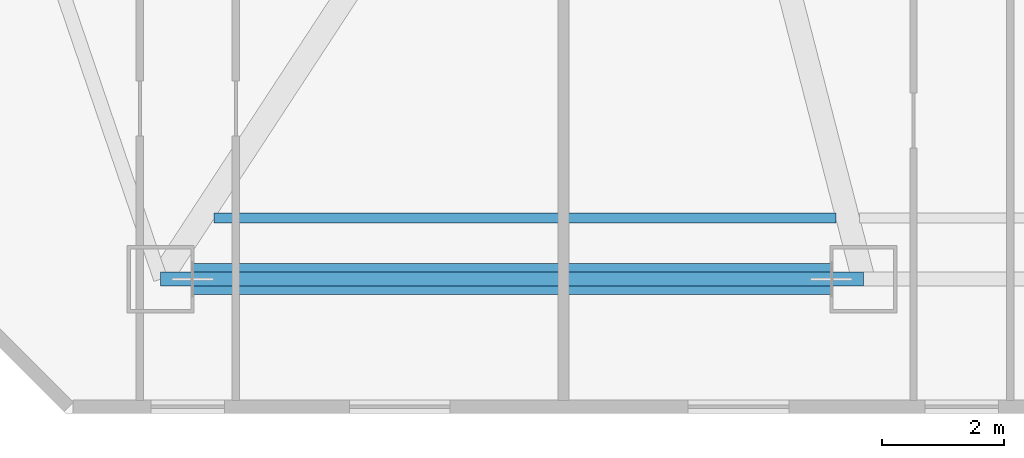
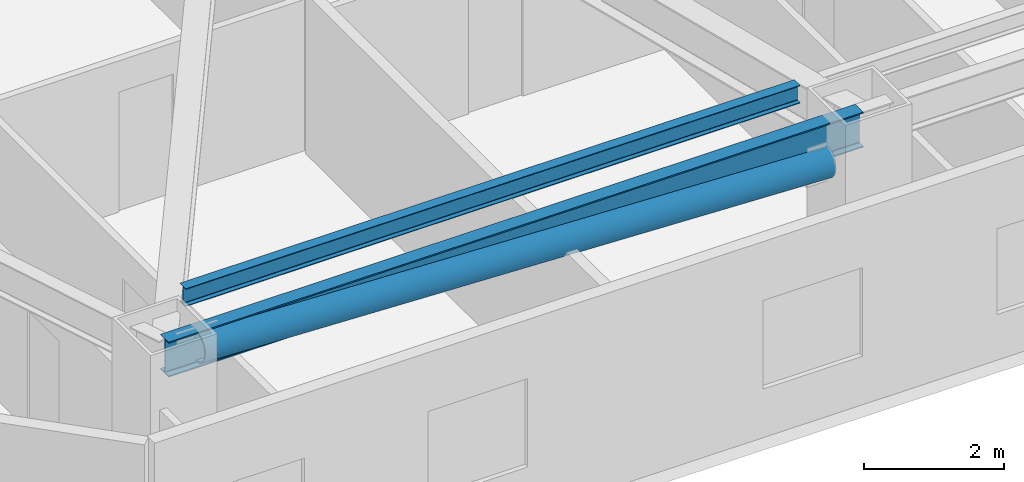
# One storey, part 3 of 18: 2 beams, 1 member.
"""IFC4 building model written with IfcOpenShell, lengths in metres."""

from ifc_helpers import new_model, si_unit, direction, frame, origin, origin_2d, place, context, subcontext, project, spatial, hollow_circle, i_section, extrude, material, material_profile, profile_set, type_object, element, save


model = new_model("IFC4")

# Units and contexts
model_context = context("Model", 3, precision=1e-05, world=origin(), true_north=direction((0.0, 1.0)))
body_context = subcontext(model_context, "Body", "Model", "MODEL_VIEW")
ifc_project = project(units=[si_unit("LENGTHUNIT", "METRE"), si_unit("AREAUNIT", "SQUARE_METRE"), si_unit("VOLUMEUNIT", "CUBIC_METRE"), si_unit("PLANEANGLEUNIT", "RADIAN"), si_unit("MASSUNIT", "GRAM", prefix="KILO")], contexts=[model_context])

# Site, building, storey
site_placement = place(None, origin())
site = spatial("IfcSite", under=ifc_project, at=site_placement, CompositionType="ELEMENT")
building_placement = place(site_placement, origin())
building = spatial("IfcBuilding", under=site, at=building_placement, Name="Khamvora Tower", CompositionType="ELEMENT")
storey_placement = place(building_placement, frame((0.0, 0.0, 69.800048828125)))
storey = spatial("IfcBuildingStorey", under=building, at=storey_placement, Name="L17", CompositionType="ELEMENT", Elevation=69.800048828125)

# Beams
ifc_material_1 = material(Name="Steel S355", Category="steel")
ifc_material_profile_1 = material_profile(ifc_material_1, i_section(OverallWidth=0.166015625, OverallDepth=0.31298828125, WebThickness=0.007080078125, FlangeThickness=0.010986328125, FilletRadius=0.010009765625, at=origin_2d()), Name="W310x45")
ifc_profile_set_1 = profile_set([ifc_material_profile_1], Name="Steel S355")
beam_type_1 = type_object("IfcBeamType", Name="BM-JS-W310x45", PredefinedType="JOIST", material=ifc_profile_set_1)
beam_1_placement = place(storey_placement, frame((10.626953125, 6.199951171875, 3.27392578125), z_axis=(1.0, 0.0, 0.0), x_axis=(0.0, 1.0, 0.0)))
element("IfcBeam", 1, at=beam_1_placement, inside=storey, type_object=beam_type_1, Name="L17 secondary floor joist 01", PredefinedType="JOIST", context=body_context, shape_type="SweptSolid", body=[
    extrude(i_section(OverallWidth=0.166015625, OverallDepth=0.31298828125, WebThickness=0.007080078125, FlangeThickness=0.010986328125, FilletRadius=0.010009765625, at=origin_2d()), origin(), (0.0, 0.0, 1.0), 10.173095703125),
])
ifc_material_profile_2 = material_profile(ifc_material_1, i_section(OverallWidth=0.22998046875, OverallDepth=0.616943359375, WebThickness=0.012939453125, FlangeThickness=0.02197265625, FilletRadius=0.013916015625, at=origin_2d()), Name="W610x140")
ifc_profile_set_2 = profile_set([ifc_material_profile_2], Name="Steel S355")
beam_type_2 = type_object("IfcBeamType", Name="BM-SP-W610x140", PredefinedType="SPANDREL", material=ifc_profile_set_2)
beam_2_placement = place(storey_placement, frame((9.75, 5.199951171875, 3.1220703125), z_axis=(1.0, 0.0, 0.0), x_axis=(0.0, 1.0, 0.0)))
element("IfcBeam", 2, at=beam_2_placement, inside=storey, type_object=beam_type_2, Name="L17 perimeter spandrel beam S1-S2", PredefinedType="SPANDREL", context=body_context, shape_type="SweptSolid", body=[
    extrude(i_section(OverallWidth=0.22998046875, OverallDepth=0.616943359375, WebThickness=0.012939453125, FlangeThickness=0.02197265625, FilletRadius=0.013916015625, at=origin_2d()), origin(), (0.0, 0.0, 1.0), 11.5),
])

# Member
ifc_material_2 = material(Name="Steel S460", Category="steel")
ifc_material_profile_3 = material_profile(ifc_material_2, hollow_circle(Radius=0.25390625, WallThickness=0.02490234375, at=origin_2d()), Name="CHS508x25")
ifc_profile_set_3 = profile_set([ifc_material_profile_3], Name="Steel S460")
member_type = type_object("IfcMemberType", Name="MEM-BR-CHS508", PredefinedType="BRACE", material=ifc_profile_set_3)
member_placement = place(storey_placement, frame((20.719970703125, 5.199951171875, 2.699951171875), z_axis=(-0.999259102168, 0.0, 0.038486968366), x_axis=(0.0, -1.0, 0.0)))
element("IfcMember", 3, at=member_placement, inside=storey, type_object=member_type, Name="L17 perimeter wind brace 1", PredefinedType="BRACE", context=body_context, shape_type="SweptSolid", body=[
    extrude(hollow_circle(Radius=0.25390625, WallThickness=0.02490234375, at=origin_2d()), origin(), (0.0, 0.0, 1.0), 10.44775390625),
])

save(model, "model.ifc")
